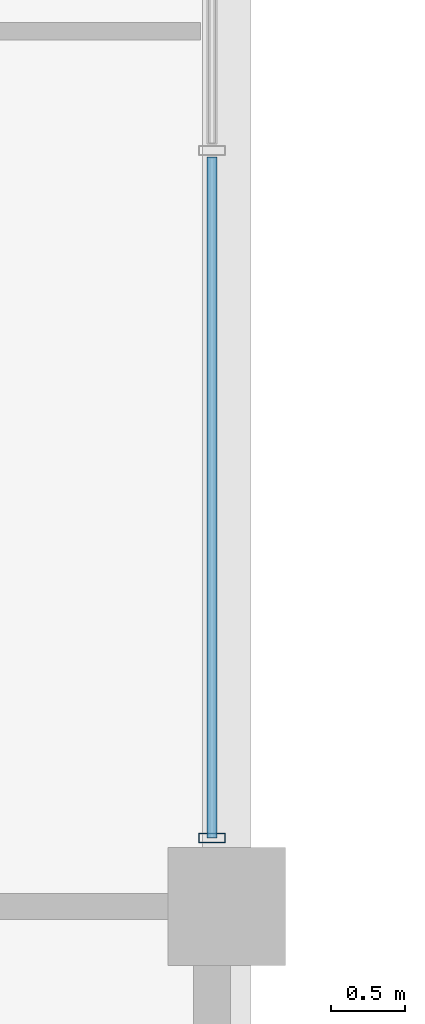
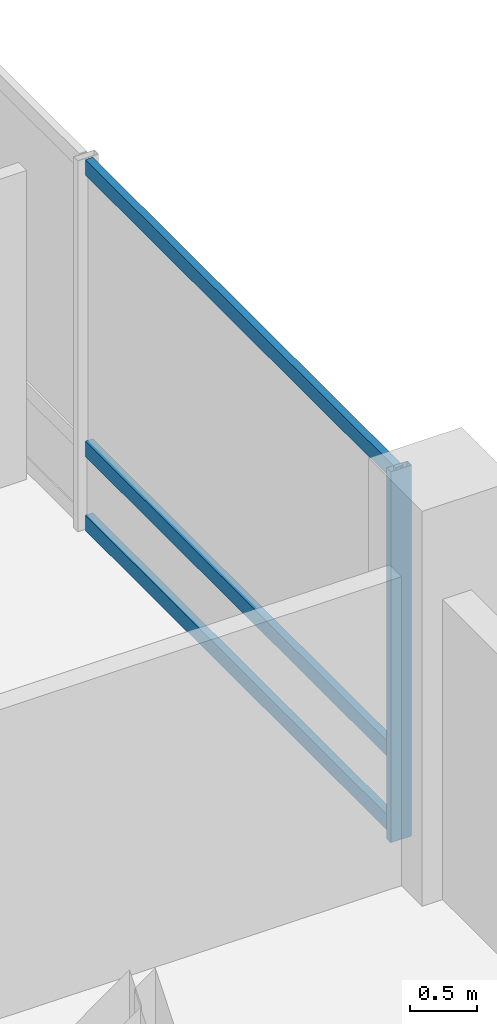
# One storey, part 8 of 23: 4 members, 1 element without a shape of its own.
"""IFC4 building model written with IfcOpenShell, lengths in metres."""

from ifc_helpers import new_model, si_unit, direction, frame, origin, origin_2d, place, context, subcontext, project, spatial, hollow_rectangle, extrude, material, layer, layer_set, material_profile, profile_set, type_object, element, aggregate, save


model = new_model("IFC4")

# Units and contexts
model_context = context("Model", 3, precision=1e-05, world=origin(), true_north=direction((0.0, 1.0)))
body_context = subcontext(model_context, "Body", "Model", "MODEL_VIEW")
ifc_project = project(units=[si_unit("LENGTHUNIT", "METRE"), si_unit("AREAUNIT", "SQUARE_METRE"), si_unit("VOLUMEUNIT", "CUBIC_METRE"), si_unit("PLANEANGLEUNIT", "RADIAN"), si_unit("MASSUNIT", "GRAM", prefix="KILO")], contexts=[model_context])

# Site, building, storey
site_placement = place(None, origin())
site = spatial("IfcSite", under=ifc_project, at=site_placement, CompositionType="ELEMENT")
building_placement = place(site_placement, origin())
building = spatial("IfcBuilding", under=site, at=building_placement, Name="Barlavira Tower and Art Museum", CompositionType="ELEMENT")
storey_placement = place(building_placement, frame((0.0, 0.0, 54.0)))
storey = spatial("IfcBuildingStorey", under=building, at=storey_placement, Name="L12", CompositionType="ELEMENT", Elevation=54.0)

# Curtain wall, members
ifc_material_1 = material(Name="Low-iron coastal laminated glass", Category="glass")
ifc_layer = layer(ifc_material_1, 0.179931640625, Name="Low-iron coastal laminated glass")
ifc_layer_set = layer_set([ifc_layer], Name="Low-iron coastal laminated glass")
curtain_wall_type = type_object("IfcCurtainWallType", Name="Pale-Metal Unitised Curtain Wall Zone 1", PredefinedType="NOTDEFINED", material=ifc_layer_set)
curtain_wall_placement = place(storey_placement, origin())
curtain_wall = element("IfcCurtainWall", 1, at=curtain_wall_placement, inside=storey, type_object=curtain_wall_type, Name="L12 Curtain Wall CW1-L12-E-B3", PredefinedType="NOTDEFINED")
ifc_material_2 = material(Name="Pale anodised aluminium", Category="aluminium")
ifc_material_profile_1 = material_profile(ifc_material_2, hollow_rectangle(XDim=0.06494140625, YDim=0.179931640625, WallThickness=0.00390625, at=origin_2d()), Name="ALU-MULL 65x180x4")
ifc_profile_set_1 = profile_set([ifc_material_profile_1], Name="Pale anodised aluminium")
member_type_1 = type_object("IfcMemberType", Name="Curtain Wall Pale-Metal Mullion 65x180", PredefinedType="MULLION", material=ifc_profile_set_1)
member_1_placement = place(storey_placement, frame((21.89990234375, -7.034912109375, 0.0), z_axis=(0.0, 0.0, 1.0), x_axis=(0.0, 1.0, 0.0)))
member_1 = element("IfcMember", 2, at=member_1_placement, type_object=member_type_1, Name="CW1-L12-E-B3 Mullion 0", PredefinedType="MULLION", context=body_context, shape_type="SweptSolid", body=[
    extrude(hollow_rectangle(XDim=0.06494140625, YDim=0.179931640625, WallThickness=0.00390625, at=origin_2d()), origin(), (0.0, 0.0, 1.0), 3.3798828125),
])
ifc_material_profile_2 = material_profile(ifc_material_2, hollow_rectangle(XDim=0.06494140625, YDim=0.139892578125, WallThickness=0.00390625, at=origin_2d()), Name="ALU-TRAN 65x140x4")
ifc_profile_set_2 = profile_set([ifc_material_profile_2], Name="Pale anodised aluminium")
member_type_2 = type_object("IfcMemberType", Name="Curtain Wall Pale-Metal Transom 65x140", PredefinedType="USERDEFINED", material=ifc_profile_set_2)
member_2_placement = place(storey_placement, frame((21.89990234375, -7.034912109375, 0.070068359375), z_axis=(0.0, 1.0, 0.0), x_axis=(-1.0, 0.0, 0.0)))
member_2 = element("IfcMember", 3, at=member_2_placement, type_object=member_type_2, Name="CW1-L12-E-B3 Transom 0.1", ObjectType="TRANSOM", PredefinedType="USERDEFINED", context=body_context, shape_type="SweptSolid", body=[
    extrude(hollow_rectangle(XDim=0.06494140625, YDim=0.139892578125, WallThickness=0.00390625, at=origin_2d()), origin(), (0.0, 0.0, 1.0), 4.6298828125),
])
member_3_placement = place(storey_placement, frame((21.89990234375, -7.034912109375, 0.743896484375), z_axis=(0.0, 1.0, 0.0), x_axis=(-1.0, 0.0, 0.0)))
member_3 = element("IfcMember", 4, at=member_3_placement, type_object=member_type_2, Name="CW1-L12-E-B3 Transom 0.2", ObjectType="TRANSOM", PredefinedType="USERDEFINED", context=body_context, shape_type="SweptSolid", body=[
    extrude(hollow_rectangle(XDim=0.06494140625, YDim=0.139892578125, WallThickness=0.00390625, at=origin_2d()), origin(), (0.0, 0.0, 1.0), 4.6298828125),
])
member_4_placement = place(storey_placement, frame((21.89990234375, -7.034912109375, 3.31005859375), z_axis=(0.0, 1.0, 0.0), x_axis=(-1.0, 0.0, 0.0)))
member_4 = element("IfcMember", 5, at=member_4_placement, type_object=member_type_2, Name="CW1-L12-E-B3 Transom 0.3", ObjectType="TRANSOM", PredefinedType="USERDEFINED", context=body_context, shape_type="SweptSolid", body=[
    extrude(hollow_rectangle(XDim=0.06494140625, YDim=0.139892578125, WallThickness=0.00390625, at=origin_2d()), origin(), (0.0, 0.0, 1.0), 4.6298828125),
])
aggregate(curtain_wall, [member_1, member_2, member_3, member_4])

save(model, "model.ifc")
